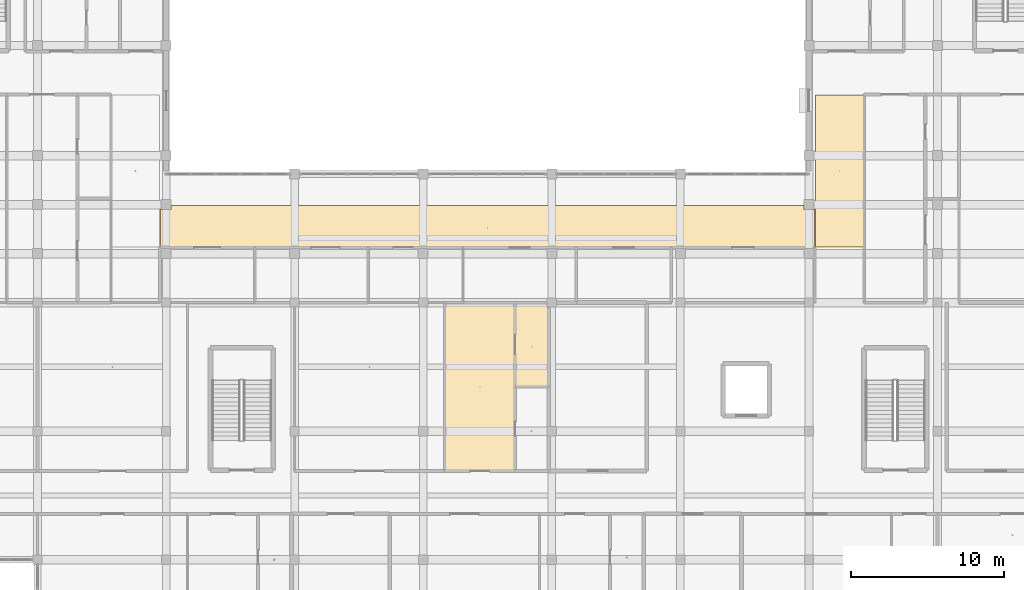
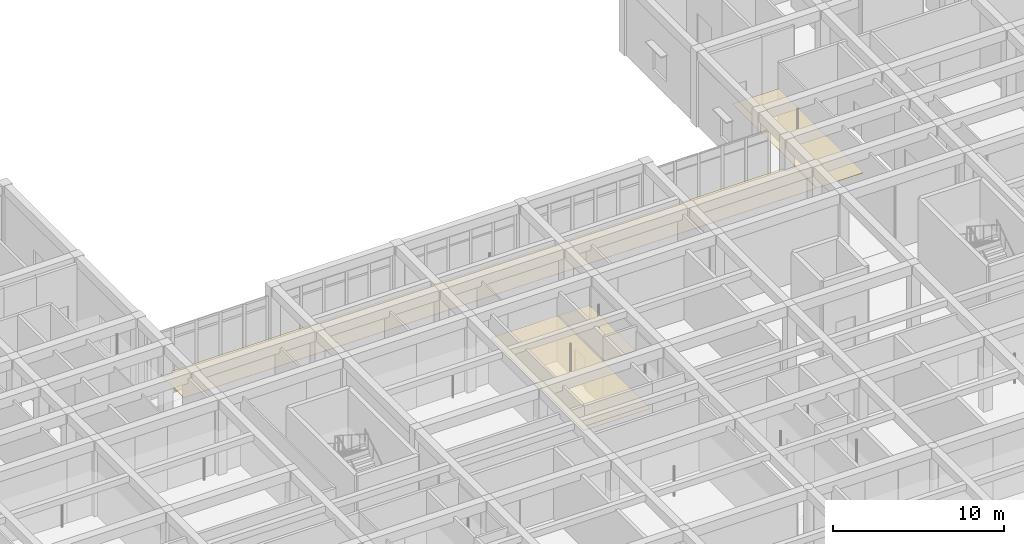
# One storey, part 147 of 157: 4 coverings.
"""IFC4 building model written with IfcOpenShell, lengths in metres."""

from ifc_helpers import new_model, si_unit, direction, frame, origin, place, context, subcontext, project, spatial, polyline, outline, extrude, material, layer, layer_set, type_object, element, save


model = new_model("IFC4")

# Units and contexts
model_context = context("Model", 3, precision=1e-05, world=origin(), true_north=direction((0.0, 1.0)))
body_context = subcontext(model_context, "Body", "Model", "MODEL_VIEW")
ifc_project = project(units=[si_unit("LENGTHUNIT", "METRE"), si_unit("AREAUNIT", "SQUARE_METRE"), si_unit("VOLUMEUNIT", "CUBIC_METRE"), si_unit("PLANEANGLEUNIT", "RADIAN"), si_unit("MASSUNIT", "GRAM", prefix="KILO")], contexts=[model_context])

# Site, building, storey
site_placement = place(None, origin())
site = spatial("IfcSite", under=ifc_project, at=site_placement, CompositionType="ELEMENT")
building_placement = place(site_placement, origin())
building = spatial("IfcBuilding", under=site, at=building_placement, Name="Varncliffe General Hospital", CompositionType="ELEMENT")
storey_placement = place(building_placement, frame((0.0, 0.0, 5.39990234375)))
storey = spatial("IfcBuildingStorey", under=building, at=storey_placement, Name="L01", CompositionType="ELEMENT", Elevation=5.39990234375)

# Coverings
ifc_material = material(Name="Hygienic antimicrobial acoustic suspended ceiling tile", Category="gypsum")
ifc_layer = layer(ifc_material, 0.02490234375)
ifc_layer_set = layer_set([ifc_layer], Name="Hygienic antimicrobial acoustic suspended ceiling tile")
covering_type = type_object("IfcCoveringType", Name="Antimicrobial Acoustic Suspended Ceiling CLG44", PredefinedType="CEILING", material=ifc_layer_set)
covering_1_placement = place(storey_placement, frame((0.0, 0.0, 3.175048828125)))
element("IfcCovering", 1, at=covering_1_placement, inside=storey, type_object=covering_type, Name="L01 North Link Concourse Corridor L01 Suspended Ceiling", PredefinedType="CEILING", context=body_context, shape_type="SweptSolid", body=[
    extrude(outline(polyline([(109.56005859375, 103.239990234375), (66.840087890625, 103.239990234375), (66.840087890625, 105.9599609375), (66.875, 105.9599609375), (66.875, 105.675048828125), (67.52490234375, 105.675048828125), (67.52490234375, 105.9599609375), (108.875, 105.9599609375), (108.875, 105.675048828125), (109.52490234375, 105.675048828125), (109.52490234375, 105.9599609375), (109.56005859375, 105.9599609375), (109.56005859375, 103.239990234375)])), origin(), (0.0, 0.0, 1.0), 0.025146484375),
])
covering_2_placement = place(storey_placement, frame((0.0, 0.0, 3.175048828125)))
element("IfcCovering", 2, at=covering_2_placement, inside=storey, type_object=covering_type, Name="L01 North Link East Connector L01 Suspended Ceiling", PredefinedType="CEILING", context=body_context, shape_type="SweptSolid", body=[
    extrude(outline(polyline([(112.760009765625, 103.239990234375), (112.760009765625, 113.159912109375), (109.639892578125, 113.159912109375), (109.639892578125, 103.239990234375), (112.760009765625, 103.239990234375)])), origin(), (0.0, 0.0, 1.0), 0.025146484375),
])
covering_3_placement = place(storey_placement, frame((0.0, 0.0, 3.175048828125)))
element("IfcCovering", 3, at=covering_3_placement, inside=storey, type_object=covering_type, Name="L01 Pre-Operative Patient Admission Bay 95 Suspended Ceiling", PredefinedType="CEILING", context=body_context, shape_type="SweptSolid", body=[
    extrude(outline(polyline([(89.9599609375, 88.639892578125), (89.9599609375, 99.56005859375), (85.43994140625, 99.56005859375), (85.43994140625, 88.639892578125), (89.9599609375, 88.639892578125)])), origin(), (0.0, 0.0, 1.0), 0.025146484375),
])
covering_4_placement = place(storey_placement, frame((0.0, 0.0, 3.175048828125)))
element("IfcCovering", 4, at=covering_4_placement, inside=storey, type_object=covering_type, Name="L01 Patient Medication and Hygiene Bay 97 Suspended Ceiling", PredefinedType="CEILING", context=body_context, shape_type="SweptSolid", body=[
    extrude(outline(polyline([(92.159912109375, 94.139892578125), (90.0400390625, 94.139892578125), (90.0400390625, 99.56005859375), (92.10009765625, 99.56005859375), (92.10009765625, 99.300048828125), (92.159912109375, 99.300048828125), (92.159912109375, 94.139892578125)])), origin(), (0.0, 0.0, 1.0), 0.025146484375),
])

save(model, "model.ifc")
